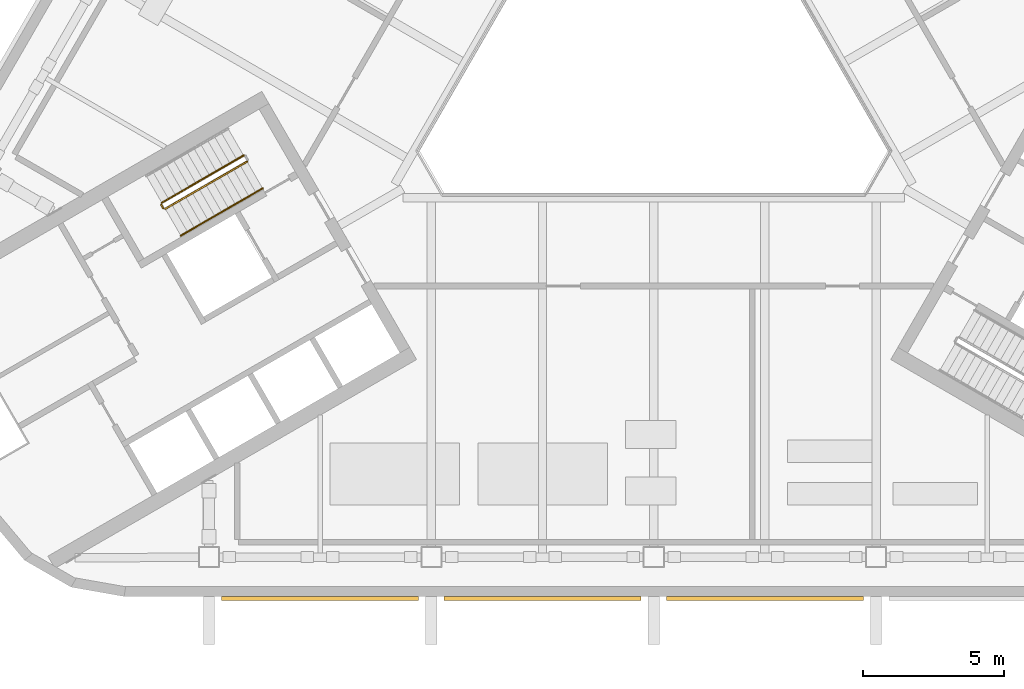
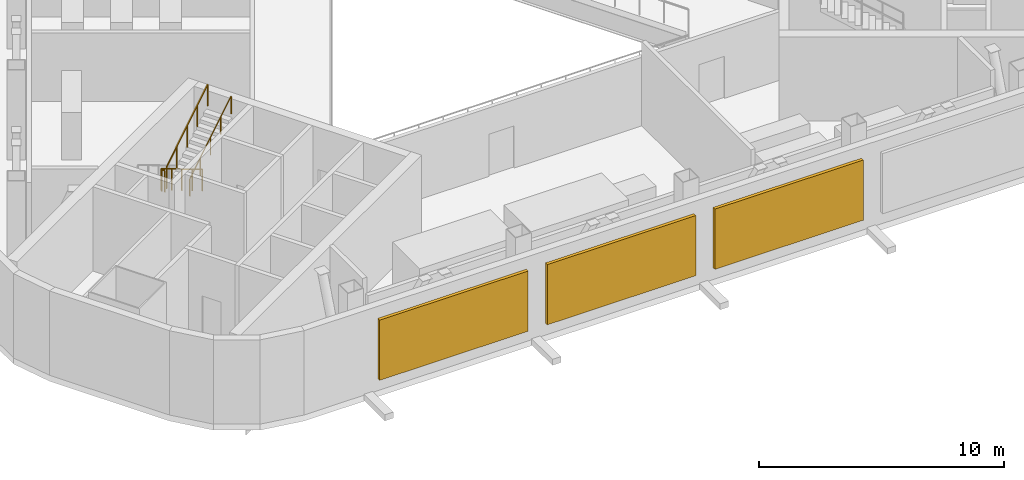
# One storey, part 11 of 15: 4 railings, 3 shading devices.
"""IFC4 building model written with IfcOpenShell, lengths in metres."""

from ifc_helpers import new_model, si_unit, direction, frame, origin, origin_2d, place, context, subcontext, project, spatial, rectangle, circle, extrude, material, type_object, element, save


model = new_model("IFC4")

# Units and contexts
model_context = context("Model", 3, precision=1e-05, world=origin(), true_north=direction((0.0, 1.0)))
body_context = subcontext(model_context, "Body", "Model", "MODEL_VIEW")
ifc_project = project(units=[si_unit("LENGTHUNIT", "METRE"), si_unit("AREAUNIT", "SQUARE_METRE"), si_unit("VOLUMEUNIT", "CUBIC_METRE"), si_unit("PLANEANGLEUNIT", "RADIAN"), si_unit("MASSUNIT", "GRAM", prefix="KILO")], contexts=[model_context])

# Site, building, storey
site_placement = place(None, origin())
site = spatial("IfcSite", under=ifc_project, at=site_placement, CompositionType="ELEMENT")
building_placement = place(site_placement, origin())
building = spatial("IfcBuilding", under=site, at=building_placement, Name="Apuvela Tower Hotel", CompositionType="ELEMENT")
storey_placement = place(building_placement, frame((0.0, 0.0, 237.699951171875)))
storey = spatial("IfcBuildingStorey", under=building, at=storey_placement, Name="L58 Plant", CompositionType="ELEMENT", Elevation=237.699951171875)

# Railings
ifc_material_1 = material(Name="Steel S275 balustrade", Category="steel")
railing_type_1 = type_object("IfcRailingType", Name="COR-GUARD-1100", PredefinedType="GUARDRAIL", material=ifc_material_1)
railing_1_placement = place(storey_placement, frame((-14.569091796875, -3.9658203125, 0.173095703125)))
element("IfcRailing", 1, at=railing_1_placement, inside=storey, type_object=railing_type_1, Name="L58 Plant ST2 stair guard 1", PredefinedType="GUARDRAIL", context=body_context, shape_type="SweptSolid", body=[
    extrude(rectangle(XDim=0.048095703125, YDim=0.048095703125, at=origin_2d()), frame((0.0, 0.0, 1.076171875), z_axis=(-0.736639687092, -0.425307743487, 0.525809180911), x_axis=(0.500007602105, -0.866021014662, 0.0)), (0.0, 0.0, 1.0), 3.949951171875),
    extrude(rectangle(XDim=0.0419921875, YDim=0.0419921875, at=origin_2d()), origin(), (0.0, 0.0, 1.0), 1.052001953125),
    extrude(rectangle(XDim=0.0419921875, YDim=0.0419921875, at=origin_2d()), frame((-0.7275390625, -0.419921875, 0.519287109375)), (0.0, 0.0, 1.0), 1.052001953125),
    extrude(rectangle(XDim=0.0419921875, YDim=0.0419921875, at=origin_2d()), frame((-1.454833984375, -0.83984375, 1.03857421875)), (0.0, 0.0, 1.0), 1.052001953125),
    extrude(rectangle(XDim=0.0419921875, YDim=0.0419921875, at=origin_2d()), frame((-2.18212890625, -1.260009765625, 1.5576171875)), (0.0, 0.0, 1.0), 1.052001953125),
    extrude(rectangle(XDim=0.0419921875, YDim=0.0419921875, at=origin_2d()), frame((-2.90966796875, -1.679931640625, 2.076904296875)), (0.0, 0.0, 1.0), 1.052001953125),
])
railing_2_placement = place(storey_placement, frame((-17.4970703125, -5.714111328125, 2.25)))
element("IfcRailing", 2, at=railing_2_placement, inside=storey, type_object=railing_type_1, Name="L58 Plant ST2 stair guard 2", PredefinedType="GUARDRAIL", context=body_context, shape_type="SweptSolid", body=[
    extrude(rectangle(XDim=0.048095703125, YDim=0.048095703125, at=origin_2d()), frame((0.0, 0.0, 1.076171875), z_axis=(0.499816412211, -0.866131372301, 0.0), x_axis=(0.866131372301, 0.499816412211, 0.0)), (0.0, 0.0, 1.0), 0.14990234375),
    extrude(rectangle(XDim=0.0419921875, YDim=0.0419921875, at=origin_2d()), origin(), (0.0, 0.0, 1.0), 1.052001953125),
    extrude(rectangle(XDim=0.0419921875, YDim=0.0419921875, at=origin_2d()), frame((0.074951171875, -0.1298828125, 0.0)), (0.0, 0.0, 1.0), 1.052001953125),
])
railing_3_placement = place(storey_placement, frame((-17.353759765625, -5.8623046875, 2.423095703125)))
element("IfcRailing", 3, at=railing_3_placement, inside=storey, type_object=railing_type_1, Name="L58 Plant ST2 stair guard 3", PredefinedType="GUARDRAIL", context=body_context, shape_type="SweptSolid", body=[
    extrude(rectangle(XDim=0.048095703125, YDim=0.048095703125, at=origin_2d()), frame((0.0, 0.0, 1.076171875), z_axis=(0.736639687092, 0.425307743487, 0.525809180911), x_axis=(-0.500007602105, 0.866021014662, 0.0)), (0.0, 0.0, 1.0), 3.949951171875),
    extrude(rectangle(XDim=0.0419921875, YDim=0.0419921875, at=origin_2d()), origin(), (0.0, 0.0, 1.0), 1.052001953125),
    extrude(rectangle(XDim=0.0419921875, YDim=0.0419921875, at=origin_2d()), frame((0.7275390625, 0.419921875, 0.519287109375)), (0.0, 0.0, 1.0), 1.052001953125),
    extrude(rectangle(XDim=0.0419921875, YDim=0.0419921875, at=origin_2d()), frame((1.454833984375, 0.83984375, 1.03857421875)), (0.0, 0.0, 1.0), 1.052001953125),
    extrude(rectangle(XDim=0.0419921875, YDim=0.0419921875, at=origin_2d()), frame((2.18212890625, 1.260009765625, 1.5576171875)), (0.0, 0.0, 1.0), 1.052001953125),
    extrude(rectangle(XDim=0.0419921875, YDim=0.0419921875, at=origin_2d()), frame((2.90966796875, 1.679931640625, 2.076904296875)), (0.0, 0.0, 1.0), 1.052001953125),
])
ifc_material_2 = material(Name="Stainless steel 316 handrail", Category="steel")
railing_type_2 = type_object("IfcRailingType", Name="COR-HANDRAIL-900", PredefinedType="HANDRAIL", material=ifc_material_2)
railing_4_placement = place(storey_placement, frame((-16.8037109375, -6.81494140625, 2.423095703125)))
element("IfcRailing", 4, at=railing_4_placement, inside=storey, type_object=railing_type_2, Name="L58 Plant ST2 stair handrail 2", PredefinedType="HANDRAIL", context=body_context, shape_type="SweptSolid", body=[
    extrude(circle(Radius=0.02392578125, at=origin_2d()), frame((0.0, 0.0, 0.8759765625), z_axis=(0.736639687092, 0.425307743487, 0.525809180911), x_axis=(-0.500007602105, 0.866021014662, 0.0)), (0.0, 0.0, 1.0), 3.949951171875),
    extrude(rectangle(XDim=0.0419921875, YDim=0.0419921875, at=origin_2d()), origin(), (0.0, 0.0, 1.0), 0.851806640625),
    extrude(rectangle(XDim=0.0419921875, YDim=0.0419921875, at=origin_2d()), frame((0.7275390625, 0.419921875, 0.519287109375)), (0.0, 0.0, 1.0), 0.851806640625),
    extrude(rectangle(XDim=0.0419921875, YDim=0.0419921875, at=origin_2d()), frame((1.454833984375, 0.83984375, 1.03857421875)), (0.0, 0.0, 1.0), 0.851806640625),
    extrude(rectangle(XDim=0.0419921875, YDim=0.0419921875, at=origin_2d()), frame((2.18212890625, 1.260009765625, 1.5576171875)), (0.0, 0.0, 1.0), 0.851806640625),
    extrude(rectangle(XDim=0.0419921875, YDim=0.0419921875, at=origin_2d()), frame((2.90966796875, 1.679931640625, 2.076904296875)), (0.0, 0.0, 1.0), 0.851806640625),
])

# Shading devices
ifc_material_3 = material(Name="Aluminium 6063-T6, black anodised louvre blades", Category="aluminium")
shading_device_type = type_object("IfcShadingDeviceType", Name="ENV-LOUVRE-SCREEN", PredefinedType="USERDEFINED", material=ifc_material_3)
for number, where, z_axis, x_axis, name in (
    (5, (-11.85009765625, -19.705078125, 0.60009765625), (0.0, 0.0, 1.0), (1.0, 0.0, 0.0), "Plant louvre S1"),
    (6, (-3.949951171875, -19.705078125, 0.60009765625), (0.0, 0.0, 1.0), (1.0, 0.0, 0.0), "Plant louvre S2"),
    (7, (3.949951171875, -19.705078125, 0.60009765625), (0.0, 0.0, 1.0), (1.0, 0.0, 0.0), "Plant louvre S3"),
):
    element("IfcShadingDevice", number, at=place(storey_placement, frame(where, z_axis=z_axis, x_axis=x_axis)), inside=storey, type_object=shading_device_type, Name=name, ObjectType="LOUVRE", PredefinedType="USERDEFINED", context=body_context, shape_type="SweptSolid", body=[
        extrude(rectangle(XDim=7.0, YDim=0.14990234375, at=origin_2d()), origin(), (0.0, 0.0, 1.0), 3.0),
    ])

save(model, "model.ifc")
